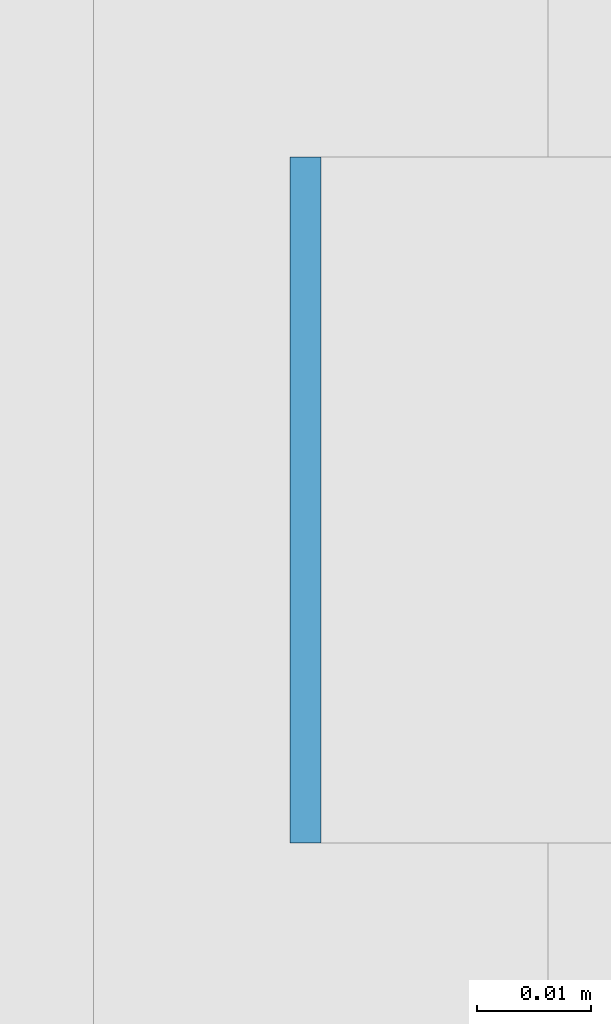
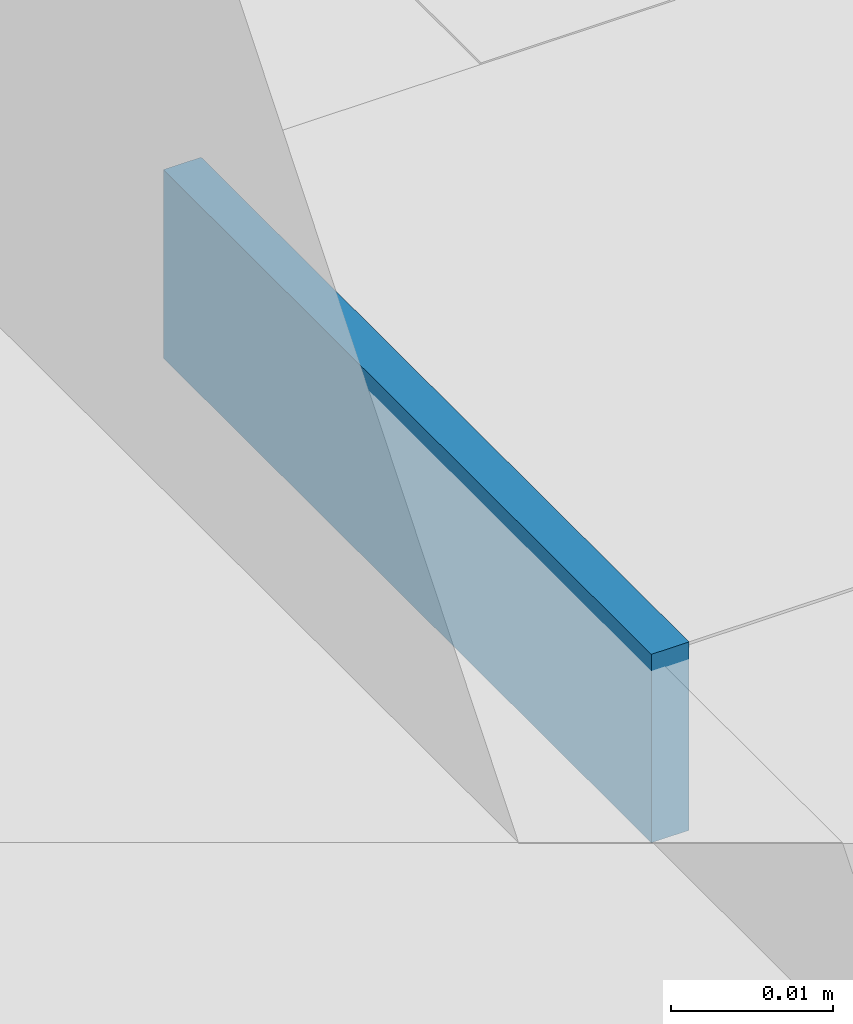
# One storey, part 597 of 646: 1 discrete accessory.
"""IFC4 building model written with IfcOpenShell, lengths in metres."""

import ifcopenshell
import ifcopenshell.guid

model = None  # the IFC model being written
_history = None  # IfcOwnerHistory: only IFC2X3 demands one
_inside = {}  # id of a spatial element -> (the spatial element, [elements in it])
_under = {}  # id of a project, library or spatial element -> (it, [spatial elements below it])
_declared = {}  # id of a project -> (the project, [libraries it declares])
_typed = {}  # id of a type object -> (the type object, [elements of that type])
_made_of = {}  # id of a material, layer set ... -> (it, [elements and type objects made of it])


def new_model(schema):
    """Start an empty IFC model of exactly this schema.

    Asked for "IFC4X3", IfcOpenShell would pick the latest addendum, in which some entities
    have other attributes; the version numbers below select the first issue.
    IFC2X3 requires an IfcOwnerHistory on every rooted entity: one is made here for all.
    """
    global model, _history
    if schema == "IFC4X3":
        model = ifcopenshell.file(schema_version=(4, 3, 0, 0))
    else:
        model = ifcopenshell.file(schema=schema)
    _inside.clear()
    _under.clear()
    _declared.clear()
    _typed.clear()
    _made_of.clear()
    _history = None
    if model.schema == "IFC2X3":
        org = make("IfcOrganization", Name="unknown")
        user = make(
            "IfcPersonAndOrganization",
            ThePerson=make("IfcPerson", FamilyName="unknown"),
            TheOrganization=org,
        )
        app = make(
            "IfcApplication",
            ApplicationDeveloper=org,
            Version="unknown",
            ApplicationFullName="unknown",
            ApplicationIdentifier="unknown",
        )
        _history = make(
            "IfcOwnerHistory",
            OwningUser=user,
            OwningApplication=app,
            ChangeAction="ADDED",
            CreationDate=0,
        )
    return model


def make(cls, **values):
    """One entity of the class cls with the attributes given. An attribute that is None is left unset."""
    return model.create_entity(
        cls, **{name: value for name, value in values.items() if value is not None}
    )


def rooted(cls, **values):
    """An entity with a GlobalId (a new one), such as an element, a storey or a relation."""
    return make(cls, GlobalId=ifcopenshell.guid.new(), OwnerHistory=_history, **values)


def si_unit(unit_type, name, prefix=None):
    """IfcSIUnit, for example si_unit("LENGTHUNIT", "METRE", prefix="MILLI")."""
    return make("IfcSIUnit", UnitType=unit_type, Prefix=prefix, Name=name)


def assignment(units):
    """IfcUnitAssignment: the units of a project."""
    return None if units is None else make("IfcUnitAssignment", Units=units)


def point(xyz):
    """IfcCartesianPoint."""
    return None if xyz is None else make("IfcCartesianPoint", Coordinates=xyz)


def direction(xyz):
    """IfcDirection."""
    return None if xyz is None else make("IfcDirection", DirectionRatios=xyz)


def frame(location, z_axis=None, x_axis=None):
    """IfcAxis2Placement3D, a coordinate frame: its origin and axes. An axis left out is left unset."""
    return make(
        "IfcAxis2Placement3D",
        Location=point(location),
        Axis=direction(z_axis),
        RefDirection=direction(x_axis),
    )


def frame_2d(location, x_axis=None):
    """IfcAxis2Placement2D, a coordinate frame in the plane: its origin and x axis."""
    return make(
        "IfcAxis2Placement2D", Location=point(location), RefDirection=direction(x_axis)
    )


def origin():
    """The frame at (0, 0, 0) with its axes left unset."""
    return frame((0.0, 0.0, 0.0))


def origin_2d():
    """The frame at (0, 0) in the plane with its x axis left unset."""
    return frame_2d((0.0, 0.0))


def place(relative_to, where):
    """IfcLocalPlacement: puts the frame where relative to a parent placement (None: the world)."""
    return make(
        "IfcLocalPlacement", PlacementRelTo=relative_to, RelativePlacement=where
    )


def context(
    kind, dimensions, precision=None, world=None, true_north=None, identifier=None
):
    """IfcGeometricRepresentationContext, for example the 3D "Model" context."""
    return make(
        "IfcGeometricRepresentationContext",
        ContextIdentifier=identifier,
        ContextType=kind,
        CoordinateSpaceDimension=dimensions,
        Precision=precision,
        WorldCoordinateSystem=world,
        TrueNorth=true_north,
    )


def subcontext(parent, identifier, kind, view, scale=None):
    """IfcGeometricRepresentationSubContext, for example "Body" below "Model"."""
    return make(
        "IfcGeometricRepresentationSubContext",
        ContextIdentifier=identifier,
        ContextType=kind,
        ParentContext=parent,
        TargetScale=scale,
        TargetView=view,
    )


def project(units=None, contexts=None):
    """IfcProject with its units and contexts."""
    return rooted(
        "IfcProject",
        Name="project",
        RepresentationContexts=contexts,
        UnitsInContext=assignment(units),
    )


def spatial(cls, under=None, at=None, **own):
    """A site, building, storey or space (cls), placed at a placement, below another one or the project."""
    s = rooted(cls, ObjectPlacement=at, **own)
    if under is not None:
        _under.setdefault(under.id(), (under, []))[1].append(s)
    return s


def profile(cls, at=None, kind="AREA", **sizes):
    """A parametric profile (cls). Its sizes go by their IFC names, for example OverallWidth=200.0."""
    return make(cls, ProfileType=kind, Position=at, **sizes)


def rectangle(**sizes):
    """IfcRectangleProfileDef."""
    return profile("IfcRectangleProfileDef", **sizes)


def extrude(swept, where, along, depth):
    """IfcExtrudedAreaSolid: the profile swept, set in the frame where, extruded along a direction by depth."""
    return make(
        "IfcExtrudedAreaSolid",
        SweptArea=swept,
        Position=where,
        ExtrudedDirection=direction(along),
        Depth=depth,
    )


def shape(context_of_items, identifier, shape_type, items):
    """IfcShapeRepresentation: the items that make up one representation, for example the "Body"."""
    return make(
        "IfcShapeRepresentation",
        ContextOfItems=context_of_items,
        RepresentationIdentifier=identifier,
        RepresentationType=shape_type,
        Items=items,
    )


def material(Name=None, Category=None):
    """IfcMaterial."""
    return make("IfcMaterial", Name=Name, Category=Category)


def made_of(thing, what):
    """Note that an element or type object is made of a material, layer set ...; save() writes the relation."""
    if what is not None:
        _made_of.setdefault(what.id(), (what, []))[1].append(thing)
    return thing


def type_object(cls, material=None, **own):
    """A type object (cls), such as IfcWallType, which elements share."""
    return made_of(rooted(cls, **own), material)


def element(
    cls,
    number,
    at=None,
    inside=None,
    cuts=None,
    type_object=None,
    material=None,
    context=None,
    identifier="Body",
    shape_type=None,
    held_by="IfcProductDefinitionShape",
    body=None,
    shapes=None,
    **own,
):
    """One element of the class cls, such as IfcWall. Its Tag is "e" and its number.

    at: its placement. inside: the storey or other place that contains it. cuts: it is an
    opening in that element (IfcRelVoidsElement). A single representation is given by context,
    identifier, shape_type and body (its items); several are given by shapes. held_by: the class
    of the entity that holds the representations. save() writes the other relations.
    """
    e = rooted(cls, Tag="e%d" % number, ObjectPlacement=at, **own)
    if body is not None:
        shapes = [shape(context, identifier, shape_type, body)]
    if shapes is not None:
        e.Representation = make(held_by, Representations=shapes)
    if inside is not None:
        _inside.setdefault(inside.id(), (inside, []))[1].append(e)
    if cuts is not None:
        rooted(
            "IfcRelVoidsElement", RelatingBuildingElement=cuts, RelatedOpeningElement=e
        )
    if type_object is not None:
        _typed.setdefault(type_object.id(), (type_object, []))[1].append(e)
    return made_of(e, material)


def aggregate(whole, parts):
    """IfcRelAggregates: a whole, such as a stair, and the parts it consists of."""
    return rooted("IfcRelAggregates", RelatingObject=whole, RelatedObjects=parts)


def save(model, path):
    """Write the relations noted so far, then the file.

    IfcRelAggregates (storeys below a building ...), IfcRelContainedInSpatialStructure (elements
    in a storey), IfcRelDefinesByType, IfcRelAssociatesMaterial and IfcRelDeclares: one each for
    every whole, place, type object, material and project.
    """
    for whole, parts in _under.values():
        aggregate(whole, parts)
    for where, things in _inside.values():
        rooted(
            "IfcRelContainedInSpatialStructure",
            RelatedElements=things,
            RelatingStructure=where,
        )
    for kind, things in _typed.values():
        rooted("IfcRelDefinesByType", RelatedObjects=things, RelatingType=kind)
    for what, things in _made_of.values():
        rooted("IfcRelAssociatesMaterial", RelatedObjects=things, RelatingMaterial=what)
    for by, libraries in _declared.values():
        rooted("IfcRelDeclares", RelatingContext=by, RelatedDefinitions=libraries)
    model.write(path)


model = new_model("IFC4")

# Units and contexts
model_context = context("Model", 3, precision=1e-05, world=origin(), true_north=direction((0.0, 1.0)))
body_context = subcontext(model_context, "Body", "Model", "MODEL_VIEW")
ifc_project = project(units=[si_unit("LENGTHUNIT", "METRE"), si_unit("AREAUNIT", "SQUARE_METRE"), si_unit("VOLUMEUNIT", "CUBIC_METRE"), si_unit("PLANEANGLEUNIT", "RADIAN"), si_unit("MASSUNIT", "GRAM", prefix="KILO")], contexts=[model_context])

# Site, building, storey
site_placement = place(None, origin())
site = spatial("IfcSite", under=ifc_project, at=site_placement, CompositionType="ELEMENT")
building_placement = place(site_placement, origin())
building = spatial("IfcBuilding", under=site, at=building_placement, Name="Silverbay Arena", CompositionType="ELEMENT")
storey_placement = place(building_placement, frame((0.0, 0.0, 33.5)))
storey = spatial("IfcBuildingStorey", under=building, at=storey_placement, Name="L05", CompositionType="ELEMENT", Elevation=33.5)

# Discrete accessory
ifc_material = material(Name="Steel S355", Category="steel")
discrete_accessory_type = type_object("IfcDiscreteAccessoryType", Name="Steel bracket plate", PredefinedType="BRACKET", material=ifc_material)
discrete_accessory_placement = place(storey_placement, frame((207.128662109375, 122.142822265625, 12.98583984375), z_axis=(0.0, 0.0, 1.0), x_axis=(1.0, 0.0, 0.0)))
element("IfcDiscreteAccessory", 1, at=discrete_accessory_placement, inside=storey, type_object=discrete_accessory_type, Name="Curtain wall packing plate", PredefinedType="BRACKET", context=body_context, shape_type="SweptSolid", body=[
    extrude(rectangle(XDim=0.002685546875, YDim=0.06005859375, at=origin_2d()), origin(), (0.0, 0.0, 1.0), 0.01416015625),
])

save(model, "model.ifc")
